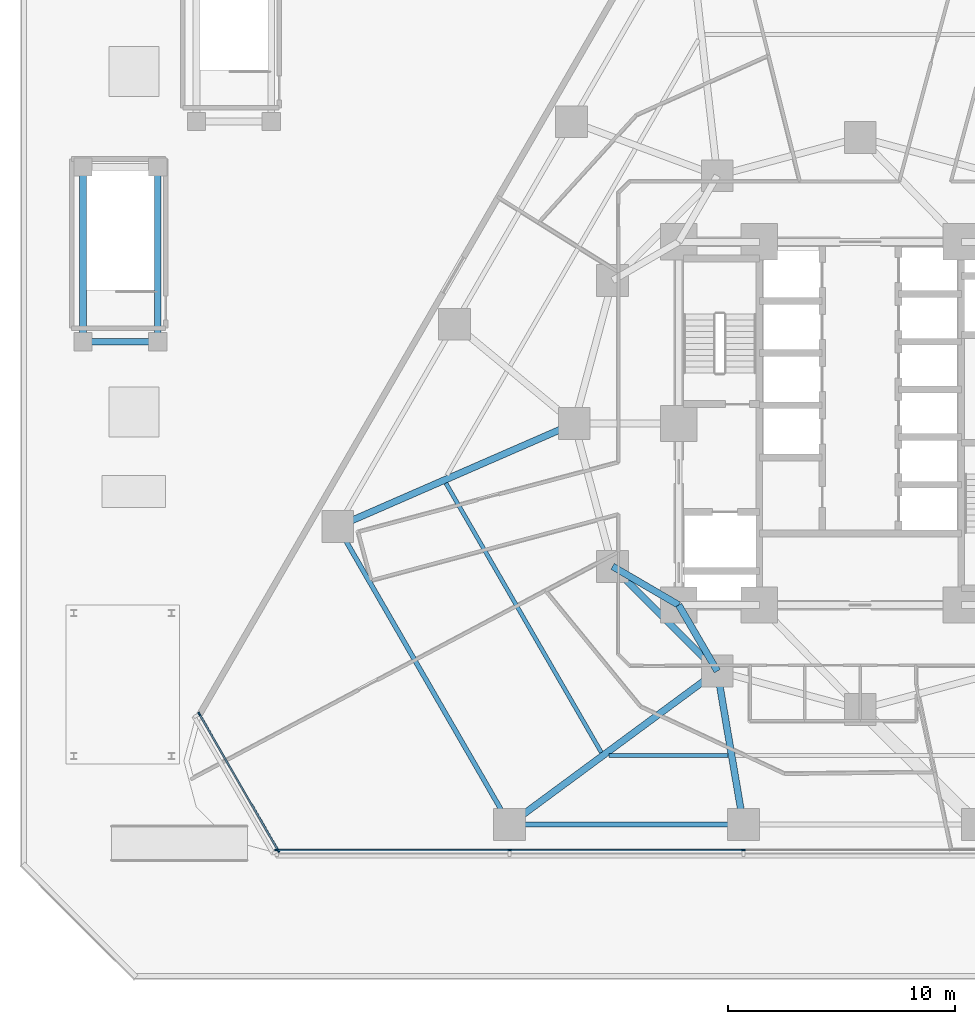
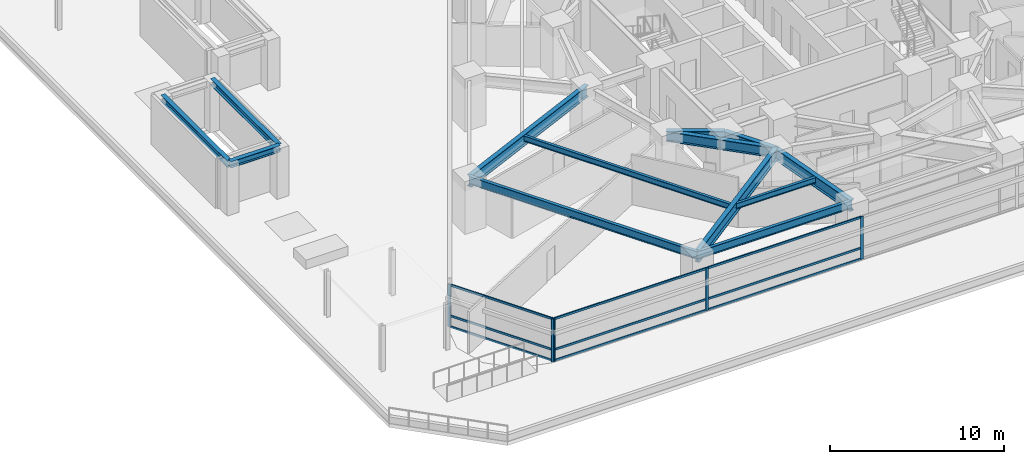
# One storey, part 7 of 23: 14 members, 13 beams, 2 elements without a shape of their own.
"""IFC4 building model written with IfcOpenShell, lengths in metres."""

from ifc_helpers import new_model, si_unit, direction, frame, origin, origin_2d, place, context, subcontext, project, spatial, rectangle, i_section, extrude, material, layer, layer_set, material_profile, profile_set, type_object, element, aggregate, save


model = new_model("IFC4")

# Units and contexts
model_context = context("Model", 3, precision=1e-05, world=origin(), true_north=direction((0.0, 1.0)))
body_context = subcontext(model_context, "Body", "Model", "MODEL_VIEW")
ifc_project = project(units=[si_unit("LENGTHUNIT", "METRE"), si_unit("AREAUNIT", "SQUARE_METRE"), si_unit("VOLUMEUNIT", "CUBIC_METRE"), si_unit("PLANEANGLEUNIT", "RADIAN"), si_unit("MASSUNIT", "GRAM", prefix="KILO")], contexts=[model_context])

# Site, building, storey
site_placement = place(None, origin())
site = spatial("IfcSite", under=ifc_project, at=site_placement, CompositionType="ELEMENT")
building_placement = place(site_placement, origin())
building = spatial("IfcBuilding", under=site, at=building_placement, Name="Terralouvre Media Tower", CompositionType="ELEMENT")
storey_placement = place(building_placement, frame((0.0, 0.0, 26.0)))
storey = spatial("IfcBuildingStorey", under=building, at=storey_placement, Name="L05", CompositionType="ELEMENT", Elevation=26.0)

# Beams
ifc_material_1 = material(Name="Structural steel S355J2", Category="steel")
ifc_material_profile_1 = material_profile(ifc_material_1, i_section(OverallWidth=0.179931640625, OverallDepth=0.39990234375, WebThickness=0.008544921875, FlangeThickness=0.013427734375, at=origin_2d()), Name="IPE 400")
ifc_profile_set_1 = profile_set([ifc_material_profile_1], Name="Structural steel S355J2")
beam_type_1 = type_object("IfcBeamType", Name="Composite Floor Joist J-IPE400 (IPE 400)", PredefinedType="JOIST", material=ifc_profile_set_1)
beam_1_placement = place(storey_placement, frame((-18.2587890625, -2.630615234375, 3.300048828125), z_axis=(0.500011895338, -0.866018535899, 0.0), x_axis=(0.866018535899, 0.500011895338, 0.0)))
element("IfcBeam", 1, at=beam_1_placement, inside=storey, type_object=beam_type_1, Name="L05 Framing Beam JT-L05-01", PredefinedType="JOIST", context=body_context, shape_type="SweptSolid", body=[
    extrude(i_section(OverallWidth=0.179931640625, OverallDepth=0.39990234375, WebThickness=0.008544921875, FlangeThickness=0.013427734375, at=origin_2d()), origin(), (0.0, 0.0, 1.0), 13.702392578125),
])
beam_2_placement = place(storey_placement, frame((-11.08203125, -14.627197265625, 3.300048828125), z_axis=(1.0, 0.0, 0.0), x_axis=(0.0, 1.0, 0.0)))
element("IfcBeam", 2, at=beam_2_placement, inside=storey, type_object=beam_type_1, Name="L05 Framing Beam JT-L05-02", PredefinedType="JOIST", context=body_context, shape_type="SweptSolid", body=[
    extrude(i_section(OverallWidth=0.179931640625, OverallDepth=0.39990234375, WebThickness=0.008544921875, FlangeThickness=0.013427734375, at=origin_2d()), origin(), (0.0, 0.0, 1.0), 5.264404296875),
])

# Curtain wall, members
ifc_material_2 = material(Name="Low-iron laminated double glazing with solar-control coating", Category="glass")
ifc_layer_1 = layer(ifc_material_2, 0.1650390625, Name="Lower Media Tower Unitised Curtain Wall CW-02")
ifc_layer_set_1 = layer_set([ifc_layer_1], Name="Low-iron laminated double glazing with solar-control coating")
curtain_wall_type_1 = type_object("IfcCurtainWallType", Name="Lower Media Tower Unitised Curtain Wall CW-02", PredefinedType="NOTDEFINED", material=ifc_layer_set_1)
curtain_wall_1_placement = place(storey_placement, origin())
curtain_wall_1 = element("IfcCurtainWall", 3, at=curtain_wall_1_placement, inside=storey, type_object=curtain_wall_type_1, Name="L05 Facade Curtain Wall F0", PredefinedType="NOTDEFINED")
ifc_material_3 = material(Name="Anodised extruded aluminium 6063-T6", Category="aluminium")
ifc_material_profile_2 = material_profile(ifc_material_3, rectangle(XDim=0.074951171875, YDim=0.14990234375, at=origin_2d()), Name="ALU 75x150")
ifc_profile_set_2 = profile_set([ifc_material_profile_2], Name="Anodised extruded aluminium 6063-T6")
member_type_1 = type_object("IfcMemberType", Name="Curtain-Wall Horizontal Transom TR-150", PredefinedType="USERDEFINED", material=ifc_profile_set_2)
member_1_placement = place(storey_placement, frame((-25.675048828125, -18.796875, 0.03759765625), z_axis=(1.0, 0.0, 0.0), x_axis=(0.0, 1.0, 0.0)))
member_1 = element("IfcMember", 4, at=member_1_placement, type_object=member_type_1, Name="CW-02 transom 1.1", ObjectType="TRANSOM", PredefinedType="USERDEFINED", context=body_context, shape_type="SweptSolid", body=[
    extrude(rectangle(XDim=0.074951171875, YDim=0.14990234375, at=origin_2d()), origin(), (0.0, 0.0, 1.0), 10.1875),
])
member_2_placement = place(storey_placement, frame((-25.675048828125, -18.796875, 0.800048828125), z_axis=(1.0, 0.0, 0.0), x_axis=(0.0, 1.0, 0.0)))
member_2 = element("IfcMember", 5, at=member_2_placement, type_object=member_type_1, Name="CW-02 transom 1.2", ObjectType="TRANSOM", PredefinedType="USERDEFINED", context=body_context, shape_type="SweptSolid", body=[
    extrude(rectangle(XDim=0.074951171875, YDim=0.14990234375, at=origin_2d()), origin(), (0.0, 0.0, 1.0), 10.1875),
])
member_3_placement = place(storey_placement, frame((-25.675048828125, -18.796875, 2.96240234375), z_axis=(1.0, 0.0, 0.0), x_axis=(0.0, 1.0, 0.0)))
member_3 = element("IfcMember", 6, at=member_3_placement, type_object=member_type_1, Name="CW-02 transom 1.3", ObjectType="TRANSOM", PredefinedType="USERDEFINED", context=body_context, shape_type="SweptSolid", body=[
    extrude(rectangle(XDim=0.074951171875, YDim=0.14990234375, at=origin_2d()), origin(), (0.0, 0.0, 1.0), 10.1875),
])
member_4_placement = place(storey_placement, frame((-15.41259765625, -18.796875, 0.03759765625), z_axis=(1.0, 0.0, 0.0), x_axis=(0.0, 1.0, 0.0)))
member_4 = element("IfcMember", 7, at=member_4_placement, type_object=member_type_1, Name="CW-02 transom 2.1", ObjectType="TRANSOM", PredefinedType="USERDEFINED", context=body_context, shape_type="SweptSolid", body=[
    extrude(rectangle(XDim=0.074951171875, YDim=0.14990234375, at=origin_2d()), origin(), (0.0, 0.0, 1.0), 10.22509765625),
])
member_5_placement = place(storey_placement, frame((-15.41259765625, -18.796875, 0.800048828125), z_axis=(1.0, 0.0, 0.0), x_axis=(0.0, 1.0, 0.0)))
member_5 = element("IfcMember", 8, at=member_5_placement, type_object=member_type_1, Name="CW-02 transom 2.2", ObjectType="TRANSOM", PredefinedType="USERDEFINED", context=body_context, shape_type="SweptSolid", body=[
    extrude(rectangle(XDim=0.074951171875, YDim=0.14990234375, at=origin_2d()), origin(), (0.0, 0.0, 1.0), 10.22509765625),
])
member_6_placement = place(storey_placement, frame((-15.41259765625, -18.796875, 2.96240234375), z_axis=(1.0, 0.0, 0.0), x_axis=(0.0, 1.0, 0.0)))
member_6 = element("IfcMember", 9, at=member_6_placement, type_object=member_type_1, Name="CW-02 transom 2.3", ObjectType="TRANSOM", PredefinedType="USERDEFINED", context=body_context, shape_type="SweptSolid", body=[
    extrude(rectangle(XDim=0.074951171875, YDim=0.14990234375, at=origin_2d()), origin(), (0.0, 0.0, 1.0), 10.22509765625),
])

ifc_material_4 = material(Name="Low-iron laminated double glazing with solar-control coating", Category="glass")
ifc_layer_2 = layer(ifc_material_4, 0.1650390625, Name="Rounded Wind-Corner Curved Glazing CW-04")
ifc_layer_set_2 = layer_set([ifc_layer_2], Name="Low-iron laminated double glazing with solar-control coating")
curtain_wall_type_2 = type_object("IfcCurtainWallType", Name="Rounded Wind-Corner Curved Glazing CW-04", PredefinedType="NOTDEFINED", material=ifc_layer_set_2)
curtain_wall_2_placement = place(storey_placement, origin())
curtain_wall_2 = element("IfcCurtainWall", 10, at=curtain_wall_2_placement, inside=storey, type_object=curtain_wall_type_2, Name="L05 Rounded Wind-Corner Curtain Wall C0", PredefinedType="NOTDEFINED")
member_7_placement = place(storey_placement, frame((-29.0986328125, -12.836669921875, 0.03759765625), z_axis=(0.499998495495, -0.866026272409, 0.0), x_axis=(0.866026272409, 0.499998495495, 0.0)))
member_7 = element("IfcMember", 11, at=member_7_placement, type_object=member_type_1, Name="CW-04 transom 1.1", ObjectType="TRANSOM", PredefinedType="USERDEFINED", context=body_context, shape_type="SweptSolid", body=[
    extrude(rectangle(XDim=0.074951171875, YDim=0.14990234375, at=origin_2d()), origin(), (0.0, 0.0, 1.0), 6.86474609375),
])
member_8_placement = place(storey_placement, frame((-29.0986328125, -12.836669921875, 0.800048828125), z_axis=(0.499998495495, -0.866026272409, 0.0), x_axis=(0.866026272409, 0.499998495495, 0.0)))
member_8 = element("IfcMember", 12, at=member_8_placement, type_object=member_type_1, Name="CW-04 transom 1.2", ObjectType="TRANSOM", PredefinedType="USERDEFINED", context=body_context, shape_type="SweptSolid", body=[
    extrude(rectangle(XDim=0.074951171875, YDim=0.14990234375, at=origin_2d()), origin(), (0.0, 0.0, 1.0), 6.86474609375),
])
member_9_placement = place(storey_placement, frame((-29.0986328125, -12.836669921875, 2.96240234375), z_axis=(0.499998495495, -0.866026272409, 0.0), x_axis=(0.866026272409, 0.499998495495, 0.0)))
member_9 = element("IfcMember", 13, at=member_9_placement, type_object=member_type_1, Name="CW-04 transom 1.3", ObjectType="TRANSOM", PredefinedType="USERDEFINED", context=body_context, shape_type="SweptSolid", body=[
    extrude(rectangle(XDim=0.074951171875, YDim=0.14990234375, at=origin_2d()), origin(), (0.0, 0.0, 1.0), 6.86474609375),
])

# Member
ifc_material_5 = material(Name="Anodised extruded aluminium 6063-T6", Category="aluminium")
ifc_material_profile_3 = material_profile(ifc_material_5, rectangle(XDim=0.074951171875, YDim=0.179931640625, at=origin_2d()), Name="ALU 75x180")
ifc_profile_set_3 = profile_set([ifc_material_profile_3], Name="Anodised extruded aluminium 6063-T6")
member_type_2 = type_object("IfcMemberType", Name="Curtain-Wall Vertical Mullion ML-180", PredefinedType="MULLION", material=ifc_profile_set_3)
member_10_placement = place(storey_placement, frame((-25.71240234375, -18.796875, 0.0), z_axis=(0.0, 0.0, 1.0), x_axis=(0.0, 1.0, 0.0)))
member_10 = element("IfcMember", 14, at=member_10_placement, type_object=member_type_2, Name="CW-02 mullion 1", PredefinedType="MULLION", context=body_context, shape_type="SweptSolid", body=[
    extrude(rectangle(XDim=0.074951171875, YDim=0.179931640625, at=origin_2d()), origin(), (0.0, 0.0, 1.0), 3.0),
])

member_11_placement = place(storey_placement, frame((-15.449951171875, -18.796875, 0.0), z_axis=(0.0, 0.0, 1.0), x_axis=(0.0, 1.0, 0.0)))
member_11 = element("IfcMember", 15, at=member_11_placement, type_object=member_type_2, Name="CW-02 mullion 2", PredefinedType="MULLION", context=body_context, shape_type="SweptSolid", body=[
    extrude(rectangle(XDim=0.074951171875, YDim=0.179931640625, at=origin_2d()), origin(), (0.0, 0.0, 1.0), 3.0),
])

member_12_placement = place(storey_placement, frame((-5.14990234375, -18.796875, 0.0), z_axis=(0.0, 0.0, 1.0), x_axis=(0.0, 1.0, 0.0)))
member_12 = element("IfcMember", 16, at=member_12_placement, type_object=member_type_2, Name="CW-02 mullion 3", PredefinedType="MULLION", context=body_context, shape_type="SweptSolid", body=[
    extrude(rectangle(XDim=0.074951171875, YDim=0.179931640625, at=origin_2d()), origin(), (0.0, 0.0, 1.0), 3.0),
])

aggregate(curtain_wall_1, [member_10, member_11, member_12, member_1, member_2, member_3, member_4, member_5, member_6])

member_13_placement = place(storey_placement, frame((-29.117431640625, -12.80419921875, 0.0), z_axis=(0.0, 0.0, 1.0), x_axis=(0.866025581895, 0.499999691503, 0.0)))
member_13 = element("IfcMember", 17, at=member_13_placement, type_object=member_type_2, Name="CW-04 mullion 1", PredefinedType="MULLION", context=body_context, shape_type="SweptSolid", body=[
    extrude(rectangle(XDim=0.074951171875, YDim=0.179931640625, at=origin_2d()), origin(), (0.0, 0.0, 1.0), 3.0),
])

member_14_placement = place(storey_placement, frame((-25.6474609375, -18.814208984375, 0.0), z_axis=(0.0, 0.0, 1.0), x_axis=(0.866025581895, 0.499999691503, 0.0)))
member_14 = element("IfcMember", 18, at=member_14_placement, type_object=member_type_2, Name="CW-04 mullion 2", PredefinedType="MULLION", context=body_context, shape_type="SweptSolid", body=[
    extrude(rectangle(XDim=0.074951171875, YDim=0.179931640625, at=origin_2d()), origin(), (0.0, 0.0, 1.0), 3.0),
])

aggregate(curtain_wall_2, [member_13, member_14, member_7, member_8, member_9])

# Beams
ifc_material_6 = material(Name="Structural steel S355J2", Category="steel")
ifc_material_profile_4 = material_profile(ifc_material_6, i_section(OverallWidth=0.2099609375, OverallDepth=0.550048828125, WebThickness=0.010986328125, FlangeThickness=0.01708984375, at=origin_2d()), Name="IPE 550")
ifc_profile_set_4 = profile_set([ifc_material_profile_4], Name="Structural steel S355J2")
beam_type_2 = type_object("IfcBeamType", Name="Perimeter Spandrel Beam SPB-550 (IPE 550)", PredefinedType="SPANDREL", material=ifc_profile_set_4)
beam_3_placement = place(storey_placement, frame((-23.02490234375, -4.546630859375, 3.22509765625), z_axis=(0.500002375365, -0.866024032363, 0.0), x_axis=(0.866024032363, 0.500002375365, 0.0)))
element("IfcBeam", 19, at=beam_3_placement, inside=storey, type_object=beam_type_2, Name="L05 Framing Beam BM-L05-PR01", PredefinedType="SPANDREL", context=body_context, shape_type="SweptSolid", body=[
    extrude(i_section(OverallWidth=0.2099609375, OverallDepth=0.550048828125, WebThickness=0.010986328125, FlangeThickness=0.01708984375, at=origin_2d()), origin(), (0.0, 0.0, 1.0), 15.14990234375),
])
beam_4_placement = place(storey_placement, frame((-15.449951171875, -17.666748046875, 3.215087890625), z_axis=(1.0, 0.0, 0.0), x_axis=(0.0, 1.0, 0.0)))
element("IfcBeam", 20, at=beam_4_placement, inside=storey, type_object=beam_type_2, Name="L05 Framing Beam BM-L05-PR02", PredefinedType="SPANDREL", context=body_context, shape_type="SweptSolid", body=[
    extrude(i_section(OverallWidth=0.2099609375, OverallDepth=0.550048828125, WebThickness=0.010986328125, FlangeThickness=0.01708984375, at=origin_2d()), origin(), (0.0, 0.0, 1.0), 10.300048828125),
])
ifc_material_7 = material(Name="Structural steel S355J2", Category="steel")
ifc_material_profile_5 = material_profile(ifc_material_7, i_section(OverallWidth=0.300048828125, OverallDepth=0.449951171875, WebThickness=0.013916015625, FlangeThickness=0.02587890625, at=origin_2d()), Name="HEB 450")
ifc_profile_set_5 = profile_set([ifc_material_profile_5], Name="Structural steel S355J2")
beam_type_3 = type_object("IfcBeamType", Name="Primary Floor Girder B-HEB450 (HEB 450)", PredefinedType="BEAM", material=ifc_profile_set_5)
beam_5_placement = place(storey_placement, frame((-34.25, 3.60009765625, 3.294921875), z_axis=(1.0, 0.0, 0.0), x_axis=(0.0, 1.0, 0.0)))
element("IfcBeam", 21, at=beam_5_placement, inside=storey, type_object=beam_type_3, Name="L05 Framing Beam BM-L05-PVST31", PredefinedType="BEAM", context=body_context, shape_type="SweptSolid", body=[
    extrude(i_section(OverallWidth=0.300048828125, OverallDepth=0.449951171875, WebThickness=0.013916015625, FlangeThickness=0.02587890625, at=origin_2d()), origin(), (0.0, 0.0, 1.0), 3.300048828125),
])
for number, where, z_axis, x_axis, name in (
    (22, (-30.949951171875, 3.60009765625, 3.294921875), (0.0, 1.0, 0.0), (-1.0, 0.0, 0.0), "L05 Framing Beam BM-L05-PVST32"),
    (23, (-34.25, 11.300048828125, 3.294921875), (0.0, -1.0, 0.0), (1.0, 0.0, 0.0), "L05 Framing Beam BM-L05-PVST34"),
):
    element("IfcBeam", number, at=place(storey_placement, frame(where, z_axis=z_axis, x_axis=x_axis)), inside=storey, type_object=beam_type_3, Name=name, PredefinedType="BEAM", context=body_context, shape_type="SweptSolid", body=[
        extrude(i_section(OverallWidth=0.300048828125, OverallDepth=0.449951171875, WebThickness=0.013916015625, FlangeThickness=0.02587890625, at=origin_2d()), origin(), (0.0, 0.0, 1.0), 7.699951171875),
    ])
ifc_material_8 = material(Name="Structural steel S460M", Category="steel")
ifc_material_profile_6 = material_profile(ifc_material_8, i_section(OverallWidth=0.300048828125, OverallDepth=0.699951171875, WebThickness=0.01708984375, FlangeThickness=0.031982421875, at=origin_2d()), Name="HEB 700")
ifc_profile_set_6 = profile_set([ifc_material_profile_6], Name="Structural steel S460M")
beam_type_4 = type_object("IfcBeamType", Name="Primary Floor Girder B-HEB700 (HEB 700)", PredefinedType="BEAM", material=ifc_profile_set_6)
beam_6_placement = place(storey_placement, frame((-10.911865234375, -6.300048828125, 3.14990234375), z_axis=(0.707106781187, -0.707106781187, 0.0), x_axis=(0.707106781187, 0.707106781187, 0.0)))
element("IfcBeam", 24, at=beam_6_placement, inside=storey, type_object=beam_type_4, Name="L05 Framing Beam BM-L05-MR01", PredefinedType="BEAM", context=body_context, shape_type="SweptSolid", body=[
    extrude(i_section(OverallWidth=0.300048828125, OverallDepth=0.699951171875, WebThickness=0.01708984375, FlangeThickness=0.031982421875, at=origin_2d()), origin(), (0.0, 0.0, 1.0), 6.52197265625),
])
for number, where, z_axis, x_axis, name in (
    (25, (-8.0, -8.0, 3.14990234375), (-0.863602894532, 0.504172629717, 0.0), (-0.504172629717, -0.863602894532, 0.0), "L05 Framing Beam BM-L05-CM01"),
    (26, (-8.0, -8.0, 3.14990234375), (0.504172629717, -0.863602894532, 0.0), (0.863602894532, 0.504172629717, 0.0), "L05 Framing Beam BM-L05-CM02"),
):
    element("IfcBeam", number, at=place(storey_placement, frame(where, z_axis=z_axis, x_axis=x_axis)), inside=storey, type_object=beam_type_4, Name=name, PredefinedType="BEAM", context=body_context, shape_type="SweptSolid", body=[
        extrude(i_section(OverallWidth=0.300048828125, OverallDepth=0.699951171875, WebThickness=0.01708984375, FlangeThickness=0.031982421875, at=origin_2d()), origin(), (0.0, 0.0, 1.0), 3.371826171875),
    ])
ifc_material_9 = material(Name="Structural steel S460M", Category="steel")
ifc_material_profile_7 = material_profile(ifc_material_9, i_section(OverallWidth=0.300048828125, OverallDepth=0.800048828125, WebThickness=0.017578125, FlangeThickness=0.032958984375, at=origin_2d()), Name="HEB 800")
ifc_profile_set_7 = profile_set([ifc_material_profile_7], Name="Structural steel S460M")
beam_type_5 = type_object("IfcBeamType", Name="Primary Floor Girder B-HEB800 (HEB 800)", PredefinedType="BEAM", material=ifc_profile_set_7)
beam_7_placement = place(storey_placement, frame((-12.60009765625, 0.0, 3.10009765625), z_axis=(-0.916615903868, -0.399769039291, 0.0), x_axis=(0.399769039291, -0.916615903868, 0.0)))
element("IfcBeam", 27, at=beam_7_placement, inside=storey, type_object=beam_type_5, Name="L05 Framing Beam BM-L05-RD01", PredefinedType="BEAM", context=body_context, shape_type="SweptSolid", body=[
    extrude(i_section(OverallWidth=0.300048828125, OverallDepth=0.800048828125, WebThickness=0.017578125, FlangeThickness=0.032958984375, at=origin_2d()), origin(), (0.0, 0.0, 1.0), 11.373046875),
])
beam_8_placement = place(storey_placement, frame((-6.300048828125, -10.911865234375, 3.10009765625), z_axis=(-0.804515955091, -0.593931038088, 0.0), x_axis=(0.593931038088, -0.804515955091, 0.0)))
element("IfcBeam", 28, at=beam_8_placement, inside=storey, type_object=beam_type_5, Name="L05 Framing Beam BM-L05-RD02", PredefinedType="BEAM", context=body_context, shape_type="SweptSolid", body=[
    extrude(i_section(OverallWidth=0.300048828125, OverallDepth=0.800048828125, WebThickness=0.017578125, FlangeThickness=0.032958984375, at=origin_2d()), origin(), (0.0, 0.0, 1.0), 11.373291015625),
])
beam_9_placement = place(storey_placement, frame((-6.300048828125, -10.911865234375, 3.090087890625), z_axis=(0.167853129882, -0.98581201392, 0.0), x_axis=(0.98581201392, 0.167853129882, 0.0)))
element("IfcBeam", 29, at=beam_9_placement, inside=storey, type_object=beam_type_5, Name="L05 Framing Beam BM-L05-RD03", PredefinedType="BEAM", context=body_context, shape_type="SweptSolid", body=[
    extrude(i_section(OverallWidth=0.300048828125, OverallDepth=0.800048828125, WebThickness=0.017578125, FlangeThickness=0.032958984375, at=origin_2d()), origin(), (0.0, 0.0, 1.0), 6.85205078125),
])

save(model, "model.ifc")
